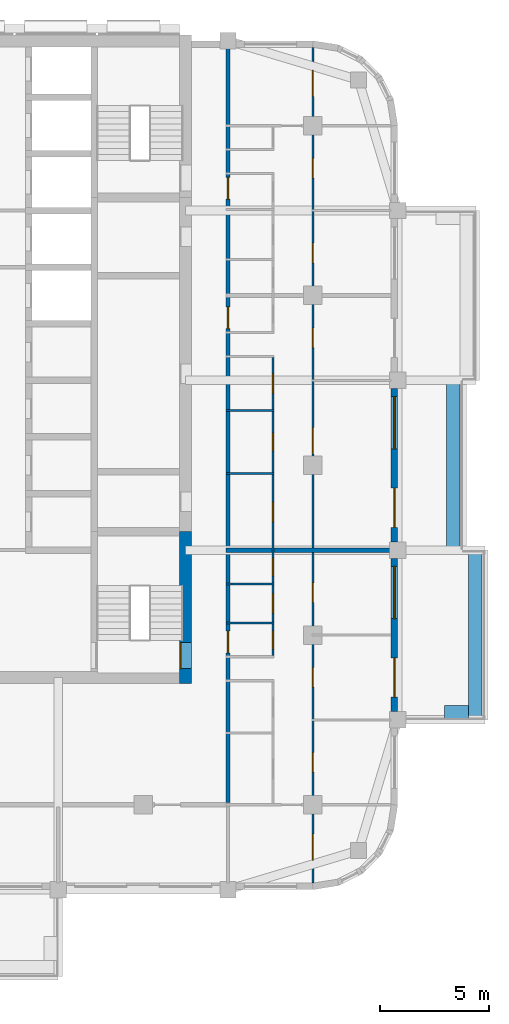
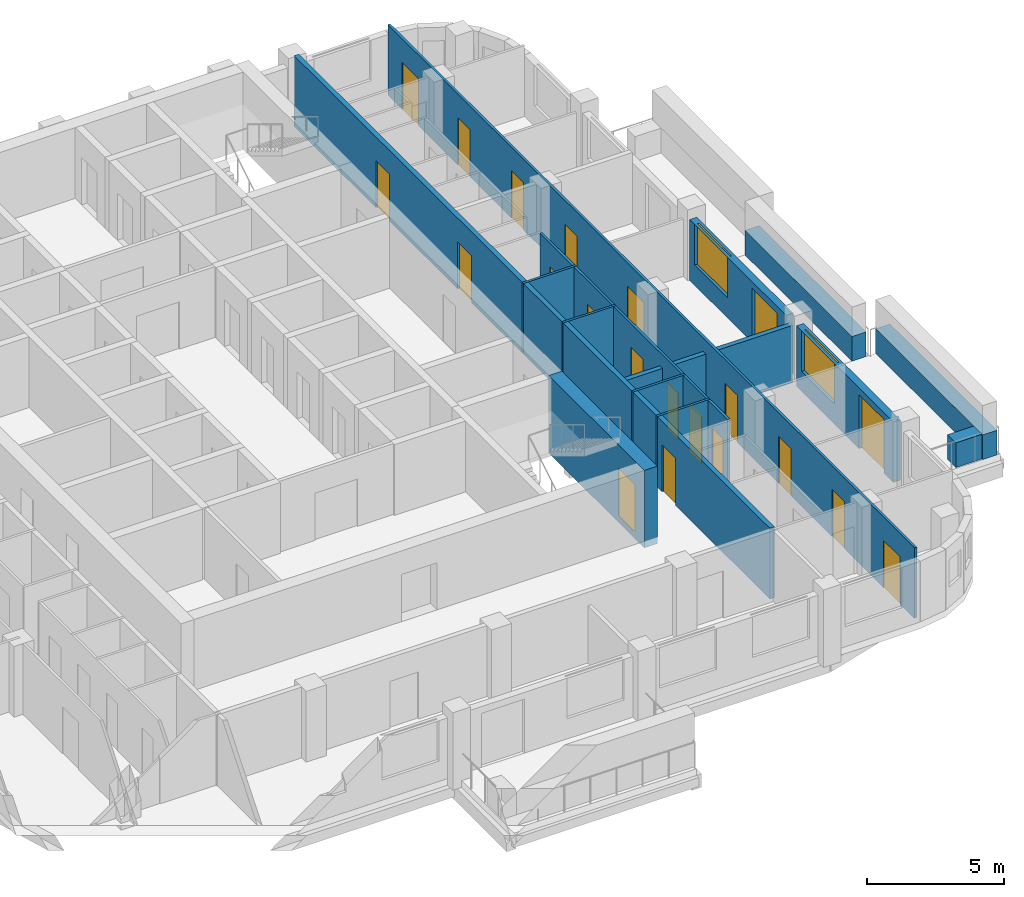
# One storey, part 6 of 13: 21 doors, 14 walls, 2 windows, 23 openings.
"""IFC4 building model written with IfcOpenShell, lengths in metres."""

from ifc_helpers import new_model, si_unit, direction, frame, frame_2d, origin, place, context, subcontext, project, spatial, rectangle, extrude, material, layer, layer_set, type_object, element, fill, save


model = new_model("IFC4")

# Units and contexts
model_context = context("Model", 3, precision=1e-05, world=origin(), true_north=direction((0.0, 1.0)))
body_context = subcontext(model_context, "Body", "Model", "MODEL_VIEW")
ifc_project = project(units=[si_unit("LENGTHUNIT", "METRE"), si_unit("AREAUNIT", "SQUARE_METRE"), si_unit("VOLUMEUNIT", "CUBIC_METRE"), si_unit("PLANEANGLEUNIT", "RADIAN"), si_unit("MASSUNIT", "GRAM", prefix="KILO")], contexts=[model_context])

# Site, building, storey
site_placement = place(None, origin())
site = spatial("IfcSite", under=ifc_project, at=site_placement, CompositionType="ELEMENT")
building_placement = place(site_placement, origin())
building = spatial("IfcBuilding", under=site, at=building_placement, Name="Ludao Terraces", CompositionType="ELEMENT")
storey_placement = place(building_placement, frame((0.0, 0.0, 179.199951171875)))
storey = spatial("IfcBuildingStorey", under=building, at=storey_placement, Name="L48", CompositionType="ELEMENT", Elevation=179.199951171875)

# Wall, opening, door
ifc_material_1 = material(Name="Concrete C60", Category="concrete")
ifc_layer_1 = layer(ifc_material_1, 0.550048828125)
ifc_layer_set_1 = layer_set([ifc_layer_1], Name="Core wall 550 C60")
wall_type_1 = type_object("IfcWallType", Name="Core wall 550 C60", PredefinedType="SOLIDWALL", material=ifc_layer_set_1)
wall_1_placement = place(storey_placement, frame((94.75, 54.97509765625, -0.300048828125), z_axis=(0.0, 0.0, 1.0), x_axis=(0.0, 1.0, 0.0)))
wall_1 = element("IfcWall", 1, at=wall_1_placement, inside=storey, type_object=wall_type_1, Name="Core wall L48 outer-E-S3", PredefinedType="SOLIDWALL", context=body_context, shape_type="SweptSolid", body=[
    extrude(rectangle(XDim=6.974853515625, YDim=0.550048828125, at=frame_2d((3.4873046875, 0.0))), origin(), (0.0, 0.0, 1.0), 3.4501953125),
])
opening_1_placement = place(wall_1_placement, frame((0.675048828125, 0.0, 0.300048828125)))
opening_1 = element("IfcOpeningElement", 2, at=opening_1_placement, cuts=wall_1, Name="Opening R17-017", PredefinedType="OPENING", context=body_context, shape_type="SweptSolid", body=[
    extrude(rectangle(XDim=1.199951171875, YDim=2.10009765625, at=frame_2d((0.60009765625, 1.050048828125))), frame((0.0, 0.28515625, 0.0), z_axis=(0.0, -1.0, 0.0), x_axis=(1.0, 0.0, 0.0)), (0.0, 0.0, 1.0), 0.570068359375),
])
ifc_material_2 = material(Name="Steel Q235", Category="steel")
door_type_1 = type_object("IfcDoorType", Name="INT Stair door 1200", OperationType="DOUBLE_DOOR_SINGLE_SWING", PredefinedType="DOOR", material=ifc_material_2)
door_1_placement = place(opening_1_placement, origin())
door_1 = element("IfcDoor", 3, at=door_1_placement, inside=storey, type_object=door_type_1, Name="DOOR 017", OperationType="DOUBLE_DOOR_SINGLE_SWING", OverallHeight=2.10009765625, OverallWidth=1.199951171875, PredefinedType="DOOR", context=body_context, shape_type="SweptSolid", body=[
    extrude(rectangle(XDim=1.199951171875, YDim=2.10009765625, at=frame_2d((0.60009765625, 1.050048828125))), frame((0.0, 0.26025390625, 0.0), z_axis=(0.0, -1.0, 0.0), x_axis=(1.0, 0.0, 0.0)), (0.0, 0.0, 1.0), 0.050048828125),
])
fill(opening_1, door_1)

# Walls
ifc_material_3 = material(Name="Concrete C40", Category="concrete")
ifc_layer_2 = layer(ifc_material_3, 0.60009765625)
ifc_layer_set_2 = layer_set([ifc_layer_2], Name="ENV Planter trough 600")
wall_type_2 = type_object("IfcWallType", Name="ENV Planter trough 600", PredefinedType="USERDEFINED", material=ifc_layer_set_2)
wall_2_placement = place(storey_placement, frame((108.050048828125, 53.300048828125, 0.0), z_axis=(0.0, 0.0, 1.0), x_axis=(0.0, 1.0, 0.0)))
element("IfcWall", 4, at=wall_2_placement, inside=storey, type_object=wall_type_2, Name="PL-L48-E1", ObjectType="PLANTER", PredefinedType="USERDEFINED", context=body_context, shape_type="SweptSolid", body=[
    extrude(rectangle(XDim=7.800048828125, YDim=0.60009765625, at=frame_2d((3.89990234375, 0.0))), origin(), (0.0, 0.0, 1.0), 1.10009765625),
])
wall_3_placement = place(storey_placement, frame((107.75, 53.64990234375, 0.0), z_axis=(0.0, 0.0, 1.0), x_axis=(-1.0, 0.0, 0.0)))
element("IfcWall", 5, at=wall_3_placement, inside=storey, type_object=wall_type_2, Name="PL-L48-E1-SA", ObjectType="PLANTER", PredefinedType="USERDEFINED", context=body_context, shape_type="SweptSolid", body=[
    extrude(rectangle(XDim=1.10009765625, YDim=0.60009765625, at=frame_2d((0.550048828125, 0.0))), origin(), (0.0, 0.0, 1.0), 1.10009765625),
])
wall_4_placement = place(storey_placement, frame((107.050048828125, 61.10009765625, 0.0), z_axis=(0.0, 0.0, 1.0), x_axis=(0.0, 1.0, 0.0)))
element("IfcWall", 6, at=wall_4_placement, inside=storey, type_object=wall_type_2, Name="PL-L48-E2", ObjectType="PLANTER", PredefinedType="USERDEFINED", context=body_context, shape_type="SweptSolid", body=[
    extrude(rectangle(XDim=7.7998046875, YDim=0.60009765625, at=frame_2d((3.89990234375, 0.0))), origin(), (0.0, 0.0, 1.0), 1.10009765625),
])

# Wall, openings, door, window
ifc_material_4 = material(Name="Granite cladding", Category="masonry")
ifc_layer_3 = layer(ifc_material_4, 0.0400390625, Category="stone")
ifc_material_5 = material(Name="Mineral wool")
ifc_layer_4 = layer(ifc_material_5, 0.06005859375)
ifc_layer_5 = layer(ifc_material_3, 0.199951171875, Category="concrete")
ifc_layer_set_3 = layer_set([ifc_layer_3, ifc_layer_4, ifc_layer_5], Name="ENV Stone-clad wall 300")
wall_type_3 = type_object("IfcWallType", Name="ENV Stone-clad wall 300", PredefinedType="SOLIDWALL", material=ifc_layer_set_3)
wall_5_placement = place(storey_placement, frame((104.35009765625, 53.675048828125, 0.0), z_axis=(0.0, 0.0, 1.0), x_axis=(0.0, 1.0, 0.0)))
wall_5 = element("IfcWall", 7, at=wall_5_placement, inside=storey, type_object=wall_type_3, Name="EW-L48-E2", PredefinedType="SOLIDWALL", context=body_context, shape_type="SweptSolid", body=[
    extrude(rectangle(XDim=7.050048828125, YDim=0.300048828125, at=frame_2d((3.52490234375, 0.0))), origin(), (0.0, 0.0, 1.0), 2.699951171875),
])
opening_2_placement = place(wall_5_placement, frame((0.675048828125, 0.0, 0.0)))
opening_2 = element("IfcOpeningElement", 8, at=opening_2_placement, cuts=wall_5, Name="Opening BD", PredefinedType="OPENING", context=body_context, shape_type="SweptSolid", body=[
    extrude(rectangle(XDim=1.800048828125, YDim=2.39990234375, at=frame_2d((0.89990234375, 1.199951171875))), frame((0.0, 0.16015625, 0.0), z_axis=(0.0, -1.0, 0.0), x_axis=(1.0, 0.0, 0.0)), (0.0, 0.0, 1.0), 0.320068359375),
])
opening_3_placement = place(wall_5_placement, frame((4.27490234375, 0.0, 0.89990234375)))
opening_3 = element("IfcOpeningElement", 9, at=opening_3_placement, cuts=wall_5, Name="Opening W1", PredefinedType="OPENING", context=body_context, shape_type="SweptSolid", body=[
    extrude(rectangle(XDim=2.39990234375, YDim=1.800048828125, at=frame_2d((1.199951171875, 0.89990234375))), frame((0.0, 0.16015625, 0.0), z_axis=(0.0, -1.0, 0.0), x_axis=(1.0, 0.0, 0.0)), (0.0, 0.0, 1.0), 0.320068359375),
])
ifc_material_6 = material(Name="Aluminium glazed door", Category="aluminium")
ifc_layer_6 = layer(ifc_material_6, 0.06005859375)
ifc_layer_set_4 = layer_set([ifc_layer_6], Name="ENV Balcony door BD 1800x2400")
door_type_2 = type_object("IfcDoorType", Name="ENV Balcony door BD 1800x2400", OperationType="DOUBLE_DOOR_SINGLE_SWING", PredefinedType="DOOR", material=ifc_layer_set_4)
door_2_placement = place(opening_2_placement, origin())
door_2 = element("IfcDoor", 10, at=door_2_placement, inside=storey, type_object=door_type_2, Name="BD-L48-E2-1", OperationType="DOUBLE_DOOR_SINGLE_SWING", OverallHeight=2.39990234375, OverallWidth=1.800048828125, PredefinedType="DOOR", context=body_context, shape_type="SweptSolid", body=[
    extrude(rectangle(XDim=1.800048828125, YDim=2.39990234375, at=frame_2d((0.89990234375, 1.199951171875))), frame((0.0, 0.02490234375, 0.0), z_axis=(0.0, -1.0, 0.0), x_axis=(1.0, 0.0, 0.0)), (0.0, 0.0, 1.0), 0.050048828125),
])
fill(opening_2, door_2)
ifc_material_7 = material(Name="Clear glass in aluminium frame", Category="aluminium")
ifc_layer_7 = layer(ifc_material_7, 0.06005859375)
ifc_layer_set_5 = layer_set([ifc_layer_7], Name="ENV Window W1 2400x1800")
window_type = type_object("IfcWindowType", Name="ENV Window W1 2400x1800", PartitioningType="DOUBLE_PANEL_VERTICAL", PredefinedType="WINDOW", material=ifc_layer_set_5)
window_1_placement = place(opening_3_placement, origin())
window_1 = element("IfcWindow", 11, at=window_1_placement, inside=storey, type_object=window_type, Name="W-L48-E2-2", OverallHeight=1.800048828125, OverallWidth=2.39990234375, PartitioningType="DOUBLE_PANEL_VERTICAL", PredefinedType="WINDOW", context=body_context, shape_type="SweptSolid", body=[
    extrude(rectangle(XDim=2.39990234375, YDim=1.800048828125, at=frame_2d((1.199951171875, 0.89990234375))), frame((0.0, 0.030029296875, 0.0), z_axis=(0.0, -1.0, 0.0), x_axis=(1.0, 0.0, 0.0)), (0.0, 0.0, 1.0), 0.06005859375),
])
fill(opening_3, window_1)

wall_6_placement = place(storey_placement, frame((104.35009765625, 61.47509765625, 0.0), z_axis=(0.0, 0.0, 1.0), x_axis=(0.0, 1.0, 0.0)))
wall_6 = element("IfcWall", 12, at=wall_6_placement, inside=storey, type_object=wall_type_3, Name="EW-L48-E3", PredefinedType="SOLIDWALL", context=body_context, shape_type="SweptSolid", body=[
    extrude(rectangle(XDim=7.0498046875, YDim=0.300048828125, at=frame_2d((3.52490234375, 0.0))), origin(), (0.0, 0.0, 1.0), 2.699951171875),
])
opening_4_placement = place(wall_6_placement, frame((0.675048828125, 0.0, 0.0)))
opening_4 = element("IfcOpeningElement", 13, at=opening_4_placement, cuts=wall_6, Name="Opening BD", PredefinedType="OPENING", context=body_context, shape_type="SweptSolid", body=[
    extrude(rectangle(XDim=1.800048828125, YDim=2.39990234375, at=frame_2d((0.89990234375, 1.199951171875))), frame((0.0, 0.16015625, 0.0), z_axis=(0.0, -1.0, 0.0), x_axis=(1.0, 0.0, 0.0)), (0.0, 0.0, 1.0), 0.320068359375),
])
opening_5_placement = place(wall_6_placement, frame((4.27490234375, 0.0, 0.89990234375)))
opening_5 = element("IfcOpeningElement", 14, at=opening_5_placement, cuts=wall_6, Name="Opening W1", PredefinedType="OPENING", context=body_context, shape_type="SweptSolid", body=[
    extrude(rectangle(XDim=2.39990234375, YDim=1.800048828125, at=frame_2d((1.199951171875, 0.89990234375))), frame((0.0, 0.16015625, 0.0), z_axis=(0.0, -1.0, 0.0), x_axis=(1.0, 0.0, 0.0)), (0.0, 0.0, 1.0), 0.320068359375),
])
door_3_placement = place(opening_4_placement, origin())
door_3 = element("IfcDoor", 15, at=door_3_placement, inside=storey, type_object=door_type_2, Name="BD-L48-E3-1", OperationType="DOUBLE_DOOR_SINGLE_SWING", OverallHeight=2.39990234375, OverallWidth=1.800048828125, PredefinedType="DOOR", context=body_context, shape_type="SweptSolid", body=[
    extrude(rectangle(XDim=1.800048828125, YDim=2.39990234375, at=frame_2d((0.89990234375, 1.199951171875))), frame((0.0, 0.02490234375, 0.0), z_axis=(0.0, -1.0, 0.0), x_axis=(1.0, 0.0, 0.0)), (0.0, 0.0, 1.0), 0.050048828125),
])
fill(opening_4, door_3)
window_2_placement = place(opening_5_placement, origin())
window_2 = element("IfcWindow", 16, at=window_2_placement, inside=storey, type_object=window_type, Name="W-L48-E3-2", OverallHeight=1.800048828125, OverallWidth=2.39990234375, PartitioningType="DOUBLE_PANEL_VERTICAL", PredefinedType="WINDOW", context=body_context, shape_type="SweptSolid", body=[
    extrude(rectangle(XDim=2.39990234375, YDim=1.800048828125, at=frame_2d((1.199951171875, 0.89990234375))), frame((0.0, 0.030029296875, 0.0), z_axis=(0.0, -1.0, 0.0), x_axis=(1.0, 0.0, 0.0)), (0.0, 0.0, 1.0), 0.06005859375),
])
fill(opening_5, window_2)

# Wall, openings, doors
ifc_material_8 = material(Name="Autoclaved aerated concrete block B06 A3.5", Category="concrete")
ifc_layer_8 = layer(ifc_material_8, 0.199951171875)
ifc_layer_set_6 = layer_set([ifc_layer_8], Name="INT Entrance wall 200")
wall_type_4 = type_object("IfcWallType", Name="INT Entrance wall 200", PredefinedType="PARTITIONING", material=ifc_layer_set_6)
wall_7_placement = place(storey_placement, frame((96.699951171875, 49.5, 0.0), z_axis=(0.0, 0.0, 1.0), x_axis=(0.0, 1.0, 0.0)))
wall_7 = element("IfcWall", 17, at=wall_7_placement, inside=storey, type_object=wall_type_4, Name="PW-L48-PW056", PredefinedType="PARTITIONING", context=body_context, shape_type="SweptSolid", body=[
    extrude(rectangle(XDim=34.7001953125, YDim=0.199951171875, at=frame_2d((17.35009765625, 0.0))), origin(), (0.0, 0.0, 1.0), 3.150146484375),
])
opening_6_placement = place(wall_7_placement, frame((6.875, 0.0, 0.0)))
opening_6 = element("IfcOpeningElement", 18, at=opening_6_placement, cuts=wall_7, Name="Opening R17-018", PredefinedType="OPENING", context=body_context, shape_type="SweptSolid", body=[
    extrude(rectangle(XDim=1.0, YDim=2.10009765625, at=frame_2d((0.5, 1.050048828125))), frame((0.0, 0.10986328125, 0.0), z_axis=(0.0, -1.0, 0.0), x_axis=(1.0, 0.0, 0.0)), (0.0, 0.0, 1.0), 0.219970703125),
])
opening_7_placement = place(wall_7_placement, frame((21.775146484375, 0.0, 0.0)))
opening_7 = element("IfcOpeningElement", 19, at=opening_7_placement, cuts=wall_7, Name="Opening R17-055", PredefinedType="OPENING", context=body_context, shape_type="SweptSolid", body=[
    extrude(rectangle(XDim=1.0, YDim=2.10009765625, at=frame_2d((0.5, 1.050048828125))), frame((0.0, 0.10986328125, 0.0), z_axis=(0.0, -1.0, 0.0), x_axis=(1.0, 0.0, 0.0)), (0.0, 0.0, 1.0), 0.219970703125),
])
opening_8_placement = place(wall_7_placement, frame((27.72509765625, 0.0, 0.0)))
opening_8 = element("IfcOpeningElement", 20, at=opening_8_placement, cuts=wall_7, Name="Opening R17-072", PredefinedType="OPENING", context=body_context, shape_type="SweptSolid", body=[
    extrude(rectangle(XDim=1.0, YDim=2.10009765625, at=frame_2d((0.5, 1.050048828125))), frame((0.0, 0.10986328125, 0.0), z_axis=(0.0, -1.0, 0.0), x_axis=(1.0, 0.0, 0.0)), (0.0, 0.0, 1.0), 0.219970703125),
])
door_type_3 = type_object("IfcDoorType", Name="INT Flat entrance door 1000", OperationType="SINGLE_SWING_LEFT", PredefinedType="DOOR", material=ifc_material_2)
door_4_placement = place(opening_6_placement, origin())
door_4 = element("IfcDoor", 21, at=door_4_placement, inside=storey, type_object=door_type_3, Name="DOOR 018", OperationType="SINGLE_SWING_LEFT", OverallHeight=2.10009765625, OverallWidth=1.0, PredefinedType="DOOR", context=body_context, shape_type="SweptSolid", body=[
    extrude(rectangle(XDim=1.0, YDim=2.10009765625, at=frame_2d((0.5, 1.050048828125))), frame((0.0, 0.02490234375, 0.0), z_axis=(0.0, -1.0, 0.0), x_axis=(1.0, 0.0, 0.0)), (0.0, 0.0, 1.0), 0.050048828125),
])
fill(opening_6, door_4)
door_5_placement = place(opening_7_placement, origin())
door_5 = element("IfcDoor", 22, at=door_5_placement, inside=storey, type_object=door_type_3, Name="DOOR 055", OperationType="SINGLE_SWING_LEFT", OverallHeight=2.10009765625, OverallWidth=1.0, PredefinedType="DOOR", context=body_context, shape_type="SweptSolid", body=[
    extrude(rectangle(XDim=1.0, YDim=2.10009765625, at=frame_2d((0.5, 1.050048828125))), frame((0.0, 0.02490234375, 0.0), z_axis=(0.0, -1.0, 0.0), x_axis=(1.0, 0.0, 0.0)), (0.0, 0.0, 1.0), 0.050048828125),
])
fill(opening_7, door_5)
door_6_placement = place(opening_8_placement, origin())
door_6 = element("IfcDoor", 23, at=door_6_placement, inside=storey, type_object=door_type_3, Name="DOOR 072", OperationType="SINGLE_SWING_RIGHT", OverallHeight=2.10009765625, OverallWidth=1.0, PredefinedType="DOOR", context=body_context, shape_type="SweptSolid", body=[
    extrude(rectangle(XDim=1.0, YDim=2.10009765625, at=frame_2d((0.5, 1.050048828125))), frame((0.0, 0.02490234375, 0.0), z_axis=(0.0, -1.0, 0.0), x_axis=(1.0, 0.0, 0.0)), (0.0, 0.0, 1.0), 0.050048828125),
])
fill(opening_8, door_6)

# Walls
ifc_material_9 = material(Name="Gypsum plasterboard", Category="gypsum")
ifc_layer_9 = layer(ifc_material_9, 0.012451171875, Category="gypsum")
ifc_layer_10 = layer(ifc_material_5, 0.06005859375, Name="insulation")
ifc_layer_11 = layer(ifc_material_2, 0.014892578125, Name="stud")
ifc_layer_12 = layer(ifc_material_9, 0.012451171875, Category="gypsum")
ifc_layer_set_7 = layer_set([ifc_layer_9, ifc_layer_10, ifc_layer_11, ifc_layer_12], Name="INT Partition 100")
wall_type_5 = type_object("IfcWallType", Name="INT Partition 100", PredefinedType="PARTITIONING", material=ifc_layer_set_7)
for number, where, z_axis, x_axis, name in (
    (24, (96.60009765625, 57.75, 0.0), (0.0, 0.0, 1.0), (1.0, 0.0, 0.0), "PW-L48-PW012"),
    (25, (96.60009765625, 59.550048828125, 0.0), (0.0, 0.0, 1.0), (1.0, 0.0, 0.0), "PW-L48-PW014"),
    (26, (96.60009765625, 64.6201171875, 0.0), (0.0, 0.0, 1.0), (1.0, 0.0, 0.0), "PW-L48-PW020"),
    (27, (96.60009765625, 67.52001953125, 0.0), (0.0, 0.0, 1.0), (1.0, 0.0, 0.0), "PW-L48-PW023"),
):
    element("IfcWall", number, at=place(storey_placement, frame(where, z_axis=z_axis, x_axis=x_axis)), inside=storey, type_object=wall_type_5, Name=name, PredefinedType="PARTITIONING", context=body_context, shape_type="SweptSolid", body=[
        extrude(rectangle(XDim=2.219970703125, YDim=0.10009765625, at=frame_2d((1.10986328125, 0.0))), origin(), (0.0, 0.0, 1.0), 3.150146484375),
    ])

# Wall, openings, doors
wall_8_placement = place(storey_placement, frame((98.77001953125, 56.25, 0.0), z_axis=(0.0, 0.0, 1.0), x_axis=(0.0, 1.0, 0.0)))
wall_8 = element("IfcWall", 28, at=wall_8_placement, inside=storey, type_object=wall_type_5, Name="PW-L48-PW058", PredefinedType="PARTITIONING", context=body_context, shape_type="SweptSolid", body=[
    extrude(rectangle(XDim=13.7001953125, YDim=0.10009765625, at=frame_2d((6.85009765625, 0.0))), origin(), (0.0, 0.0, 1.0), 3.150146484375),
])
opening_9_placement = place(wall_8_placement, frame((0.3251953125, 0.0, 0.0)))
opening_9 = element("IfcOpeningElement", 29, at=opening_9_placement, cuts=wall_8, Name="Opening R17-019", PredefinedType="OPENING", context=body_context, shape_type="SweptSolid", body=[
    extrude(rectangle(XDim=0.800048828125, YDim=2.10009765625, at=frame_2d((0.39990234375, 1.050048828125))), frame((0.0, 0.06005859375, 0.0), z_axis=(0.0, -1.0, 0.0), x_axis=(1.0, 0.0, 0.0)), (0.0, 0.0, 1.0), 0.1201171875),
])
opening_10_placement = place(wall_8_placement, frame((1.9501953125, 0.0, 0.0)))
opening_10 = element("IfcOpeningElement", 30, at=opening_10_placement, cuts=wall_8, Name="Opening R17-022", PredefinedType="OPENING", context=body_context, shape_type="SweptSolid", body=[
    extrude(rectangle(XDim=0.89990234375, YDim=2.10009765625, at=frame_2d((0.449951171875, 1.050048828125))), frame((0.0, 0.06005859375, 0.0), z_axis=(0.0, -1.0, 0.0), x_axis=(1.0, 0.0, 0.0)), (0.0, 0.0, 1.0), 0.1201171875),
])
opening_11_placement = place(wall_8_placement, frame((3.675048828125, 0.0, 0.0)))
opening_11 = element("IfcOpeningElement", 31, at=opening_11_placement, cuts=wall_8, Name="Opening R17-025", PredefinedType="OPENING", context=body_context, shape_type="SweptSolid", body=[
    extrude(rectangle(XDim=0.800048828125, YDim=2.10009765625, at=frame_2d((0.39990234375, 1.050048828125))), frame((0.0, 0.06005859375, 0.0), z_axis=(0.0, -1.0, 0.0), x_axis=(1.0, 0.0, 0.0)), (0.0, 0.0, 1.0), 0.1201171875),
])
opening_12_placement = place(wall_8_placement, frame((6.16015625, 0.0, 0.0)))
opening_12 = element("IfcOpeningElement", 32, at=opening_12_placement, cuts=wall_8, Name="Opening R17-031", PredefinedType="OPENING", context=body_context, shape_type="SweptSolid", body=[
    extrude(rectangle(XDim=0.89990234375, YDim=2.10009765625, at=frame_2d((0.449951171875, 1.050048828125))), frame((0.0, 0.06005859375, 0.0), z_axis=(0.0, -1.0, 0.0), x_axis=(1.0, 0.0, 0.0)), (0.0, 0.0, 1.0), 0.1201171875),
])
opening_13_placement = place(wall_8_placement, frame((9.420166015625, 0.0, 0.0)))
opening_13 = element("IfcOpeningElement", 33, at=opening_13_placement, cuts=wall_8, Name="Opening R17-039", PredefinedType="OPENING", context=body_context, shape_type="SweptSolid", body=[
    extrude(rectangle(XDim=0.800048828125, YDim=2.10009765625, at=frame_2d((0.39990234375, 1.050048828125))), frame((0.0, 0.06005859375, 0.0), z_axis=(0.0, -1.0, 0.0), x_axis=(1.0, 0.0, 0.0)), (0.0, 0.0, 1.0), 0.1201171875),
])
opening_14_placement = place(wall_8_placement, frame((12.06005859375, 0.0, 0.0)))
opening_14 = element("IfcOpeningElement", 34, at=opening_14_placement, cuts=wall_8, Name="Opening R17-045", PredefinedType="OPENING", context=body_context, shape_type="SweptSolid", body=[
    extrude(rectangle(XDim=0.89990234375, YDim=2.10009765625, at=frame_2d((0.449951171875, 1.050048828125))), frame((0.0, 0.06005859375, 0.0), z_axis=(0.0, -1.0, 0.0), x_axis=(1.0, 0.0, 0.0)), (0.0, 0.0, 1.0), 0.1201171875),
])
ifc_material_10 = material(Name="Timber door leaf", Category="wood")
door_type_4 = type_object("IfcDoorType", Name="INT Bathroom door 900", OperationType="SINGLE_SWING_LEFT", PredefinedType="DOOR", material=ifc_material_10)
door_7_placement = place(opening_10_placement, origin())
door_7 = element("IfcDoor", 35, at=door_7_placement, inside=storey, type_object=door_type_4, Name="DOOR 022", OperationType="SINGLE_SWING_RIGHT", OverallHeight=2.10009765625, OverallWidth=0.89990234375, PredefinedType="DOOR", context=body_context, shape_type="SweptSolid", body=[
    extrude(rectangle(XDim=0.89990234375, YDim=2.10009765625, at=frame_2d((0.449951171875, 1.050048828125))), frame((0.0, 0.02490234375, 0.0), z_axis=(0.0, -1.0, 0.0), x_axis=(1.0, 0.0, 0.0)), (0.0, 0.0, 1.0), 0.050048828125),
])
fill(opening_10, door_7)
door_8_placement = place(opening_14_placement, origin())
door_8 = element("IfcDoor", 36, at=door_8_placement, inside=storey, type_object=door_type_4, Name="DOOR 045", OperationType="SINGLE_SWING_LEFT", OverallHeight=2.10009765625, OverallWidth=0.89990234375, PredefinedType="DOOR", context=body_context, shape_type="SweptSolid", body=[
    extrude(rectangle(XDim=0.89990234375, YDim=2.10009765625, at=frame_2d((0.449951171875, 1.050048828125))), frame((0.0, 0.02490234375, 0.0), z_axis=(0.0, -1.0, 0.0), x_axis=(1.0, 0.0, 0.0)), (0.0, 0.0, 1.0), 0.050048828125),
])
fill(opening_14, door_8)
door_type_5 = type_object("IfcDoorType", Name="INT Room door 900", OperationType="SINGLE_SWING_LEFT", PredefinedType="DOOR", material=ifc_material_10)
door_9_placement = place(opening_12_placement, origin())
door_9 = element("IfcDoor", 37, at=door_9_placement, inside=storey, type_object=door_type_5, Name="DOOR 031", OperationType="SINGLE_SWING_LEFT", OverallHeight=2.10009765625, OverallWidth=0.89990234375, PredefinedType="DOOR", context=body_context, shape_type="SweptSolid", body=[
    extrude(rectangle(XDim=0.89990234375, YDim=2.10009765625, at=frame_2d((0.449951171875, 1.050048828125))), frame((0.0, 0.02490234375, 0.0), z_axis=(0.0, -1.0, 0.0), x_axis=(1.0, 0.0, 0.0)), (0.0, 0.0, 1.0), 0.050048828125),
])
fill(opening_12, door_9)
door_type_6 = type_object("IfcDoorType", Name="INT Store door 800", OperationType="SINGLE_SWING_LEFT", PredefinedType="DOOR", material=ifc_material_10)
door_10_placement = place(opening_9_placement, origin())
door_10 = element("IfcDoor", 38, at=door_10_placement, inside=storey, type_object=door_type_6, Name="DOOR 019", OperationType="SINGLE_SWING_LEFT", OverallHeight=2.10009765625, OverallWidth=0.800048828125, PredefinedType="DOOR", context=body_context, shape_type="SweptSolid", body=[
    extrude(rectangle(XDim=0.800048828125, YDim=2.10009765625, at=frame_2d((0.39990234375, 1.050048828125))), frame((0.0, 0.02490234375, 0.0), z_axis=(0.0, -1.0, 0.0), x_axis=(1.0, 0.0, 0.0)), (0.0, 0.0, 1.0), 0.050048828125),
])
fill(opening_9, door_10)
door_11_placement = place(opening_11_placement, origin())
door_11 = element("IfcDoor", 39, at=door_11_placement, inside=storey, type_object=door_type_6, Name="DOOR 025", OperationType="SINGLE_SWING_RIGHT", OverallHeight=2.10009765625, OverallWidth=0.800048828125, PredefinedType="DOOR", context=body_context, shape_type="SweptSolid", body=[
    extrude(rectangle(XDim=0.800048828125, YDim=2.10009765625, at=frame_2d((0.39990234375, 1.050048828125))), frame((0.0, 0.02490234375, 0.0), z_axis=(0.0, -1.0, 0.0), x_axis=(1.0, 0.0, 0.0)), (0.0, 0.0, 1.0), 0.050048828125),
])
fill(opening_11, door_11)
door_12_placement = place(opening_13_placement, origin())
door_12 = element("IfcDoor", 40, at=door_12_placement, inside=storey, type_object=door_type_6, Name="DOOR 039", OperationType="SINGLE_SWING_LEFT", OverallHeight=2.10009765625, OverallWidth=0.800048828125, PredefinedType="DOOR", context=body_context, shape_type="SweptSolid", body=[
    extrude(rectangle(XDim=0.800048828125, YDim=2.10009765625, at=frame_2d((0.39990234375, 1.050048828125))), frame((0.0, 0.02490234375, 0.0), z_axis=(0.0, -1.0, 0.0), x_axis=(1.0, 0.0, 0.0)), (0.0, 0.0, 1.0), 0.050048828125),
])
fill(opening_13, door_12)

wall_9_placement = place(storey_placement, frame((100.60009765625, 45.800048828125, 0.0), z_axis=(0.0, 0.0, 1.0), x_axis=(0.0, 1.0, 0.0)))
wall_9 = element("IfcWall", 41, at=wall_9_placement, inside=storey, type_object=wall_type_5, Name="PW-L48-PW061", PredefinedType="PARTITIONING", context=body_context, shape_type="SweptSolid", body=[
    extrude(rectangle(XDim=38.400146484375, YDim=0.10009765625, at=frame_2d((19.2001953125, 0.0))), origin(), (0.0, 0.0, 1.0), 3.150146484375),
])
opening_15_placement = place(wall_9_placement, frame((1.050048828125, 0.0, 0.0)))
opening_15 = element("IfcOpeningElement", 42, at=opening_15_placement, cuts=wall_9, Name="Opening R17-002", PredefinedType="OPENING", context=body_context, shape_type="SweptSolid", body=[
    extrude(rectangle(XDim=1.199951171875, YDim=2.10009765625, at=frame_2d((0.60009765625, 1.050048828125))), frame((0.0, 0.06005859375, 0.0), z_axis=(0.0, -1.0, 0.0), x_axis=(1.0, 0.0, 0.0)), (0.0, 0.0, 1.0), 0.1201171875),
])
opening_16_placement = place(wall_9_placement, frame((5.10009765625, 0.0, 0.0)))
opening_16 = element("IfcOpeningElement", 43, at=opening_16_placement, cuts=wall_9, Name="Opening R17-009", PredefinedType="OPENING", context=body_context, shape_type="SweptSolid", body=[
    extrude(rectangle(XDim=0.89990234375, YDim=2.10009765625, at=frame_2d((0.449951171875, 1.050048828125))), frame((0.0, 0.06005859375, 0.0), z_axis=(0.0, -1.0, 0.0), x_axis=(1.0, 0.0, 0.0)), (0.0, 0.0, 1.0), 0.1201171875),
])
opening_17_placement = place(wall_9_placement, frame((9.0, 0.0, 0.0)))
opening_17 = element("IfcOpeningElement", 44, at=opening_17_placement, cuts=wall_9, Name="Opening R17-014", PredefinedType="OPENING", context=body_context, shape_type="SweptSolid", body=[
    extrude(rectangle(XDim=0.89990234375, YDim=2.10009765625, at=frame_2d((0.449951171875, 1.050048828125))), frame((0.0, 0.06005859375, 0.0), z_axis=(0.0, -1.0, 0.0), x_axis=(1.0, 0.0, 0.0)), (0.0, 0.0, 1.0), 0.1201171875),
])
opening_18_placement = place(wall_9_placement, frame((12.89990234375, 0.0, 0.0)))
opening_18 = element("IfcOpeningElement", 45, at=opening_18_placement, cuts=wall_9, Name="Opening R17-024", PredefinedType="OPENING", context=body_context, shape_type="SweptSolid", body=[
    extrude(rectangle(XDim=0.89990234375, YDim=2.10009765625, at=frame_2d((0.449951171875, 1.050048828125))), frame((0.0, 0.06005859375, 0.0), z_axis=(0.0, -1.0, 0.0), x_axis=(1.0, 0.0, 0.0)), (0.0, 0.0, 1.0), 0.1201171875),
])
opening_19_placement = place(wall_9_placement, frame((19.72509765625, 0.0, 0.0)))
opening_19 = element("IfcOpeningElement", 46, at=opening_19_placement, cuts=wall_9, Name="Opening R17-040", PredefinedType="OPENING", context=body_context, shape_type="SweptSolid", body=[
    extrude(rectangle(XDim=1.199951171875, YDim=2.10009765625, at=frame_2d((0.60009765625, 1.050048828125))), frame((0.0, 0.06005859375, 0.0), z_axis=(0.0, -1.0, 0.0), x_axis=(1.0, 0.0, 0.0)), (0.0, 0.0, 1.0), 0.1201171875),
])
opening_20_placement = place(wall_9_placement, frame((24.60009765625, 0.0, 0.0)))
opening_20 = element("IfcOpeningElement", 47, at=opening_20_placement, cuts=wall_9, Name="Opening R17-053", PredefinedType="OPENING", context=body_context, shape_type="SweptSolid", body=[
    extrude(rectangle(XDim=0.89990234375, YDim=2.10009765625, at=frame_2d((0.449951171875, 1.050048828125))), frame((0.0, 0.06005859375, 0.0), z_axis=(0.0, -1.0, 0.0), x_axis=(1.0, 0.0, 0.0)), (0.0, 0.0, 1.0), 0.1201171875),
])
opening_21_placement = place(wall_9_placement, frame((28.5, 0.0, 0.0)))
opening_21 = element("IfcOpeningElement", 48, at=opening_21_placement, cuts=wall_9, Name="Opening R17-063", PredefinedType="OPENING", context=body_context, shape_type="SweptSolid", body=[
    extrude(rectangle(XDim=0.89990234375, YDim=2.10009765625, at=frame_2d((0.449951171875, 1.050048828125))), frame((0.0, 0.06005859375, 0.0), z_axis=(0.0, -1.0, 0.0), x_axis=(1.0, 0.0, 0.0)), (0.0, 0.0, 1.0), 0.1201171875),
])
opening_22_placement = place(wall_9_placement, frame((32.39990234375, 0.0, 0.0)))
opening_22 = element("IfcOpeningElement", 49, at=opening_22_placement, cuts=wall_9, Name="Opening R17-078", PredefinedType="OPENING", context=body_context, shape_type="SweptSolid", body=[
    extrude(rectangle(XDim=0.89990234375, YDim=2.10009765625, at=frame_2d((0.449951171875, 1.050048828125))), frame((0.0, 0.06005859375, 0.0), z_axis=(0.0, -1.0, 0.0), x_axis=(1.0, 0.0, 0.0)), (0.0, 0.0, 1.0), 0.1201171875),
])
opening_23_placement = place(wall_9_placement, frame((36.14990234375, 0.0, 0.0)))
opening_23 = element("IfcOpeningElement", 50, at=opening_23_placement, cuts=wall_9, Name="Opening R17-087", PredefinedType="OPENING", context=body_context, shape_type="SweptSolid", body=[
    extrude(rectangle(XDim=1.199951171875, YDim=2.10009765625, at=frame_2d((0.60009765625, 1.050048828125))), frame((0.0, 0.06005859375, 0.0), z_axis=(0.0, -1.0, 0.0), x_axis=(1.0, 0.0, 0.0)), (0.0, 0.0, 1.0), 0.1201171875),
])
door_type_7 = type_object("IfcDoorType", Name="INT Double door 1200", OperationType="DOUBLE_DOOR_SINGLE_SWING", PredefinedType="DOOR", material=ifc_material_10)
door_13_placement = place(opening_15_placement, origin())
door_13 = element("IfcDoor", 51, at=door_13_placement, inside=storey, type_object=door_type_7, Name="DOOR 002", OperationType="DOUBLE_DOOR_SINGLE_SWING", OverallHeight=2.10009765625, OverallWidth=1.199951171875, PredefinedType="DOOR", context=body_context, shape_type="SweptSolid", body=[
    extrude(rectangle(XDim=1.199951171875, YDim=2.10009765625, at=frame_2d((0.60009765625, 1.050048828125))), frame((0.0, 0.02490234375, 0.0), z_axis=(0.0, -1.0, 0.0), x_axis=(1.0, 0.0, 0.0)), (0.0, 0.0, 1.0), 0.050048828125),
])
fill(opening_15, door_13)
door_14_placement = place(opening_19_placement, origin())
door_14 = element("IfcDoor", 52, at=door_14_placement, inside=storey, type_object=door_type_7, Name="DOOR 040", OperationType="DOUBLE_DOOR_SINGLE_SWING", OverallHeight=2.10009765625, OverallWidth=1.199951171875, PredefinedType="DOOR", context=body_context, shape_type="SweptSolid", body=[
    extrude(rectangle(XDim=1.199951171875, YDim=2.10009765625, at=frame_2d((0.60009765625, 1.050048828125))), frame((0.0, 0.02490234375, 0.0), z_axis=(0.0, -1.0, 0.0), x_axis=(1.0, 0.0, 0.0)), (0.0, 0.0, 1.0), 0.050048828125),
])
fill(opening_19, door_14)
door_15_placement = place(opening_23_placement, origin())
door_15 = element("IfcDoor", 53, at=door_15_placement, inside=storey, type_object=door_type_7, Name="DOOR 087", OperationType="DOUBLE_DOOR_SINGLE_SWING", OverallHeight=2.10009765625, OverallWidth=1.199951171875, PredefinedType="DOOR", context=body_context, shape_type="SweptSolid", body=[
    extrude(rectangle(XDim=1.199951171875, YDim=2.10009765625, at=frame_2d((0.60009765625, 1.050048828125))), frame((0.0, 0.02490234375, 0.0), z_axis=(0.0, -1.0, 0.0), x_axis=(1.0, 0.0, 0.0)), (0.0, 0.0, 1.0), 0.050048828125),
])
fill(opening_23, door_15)
door_16_placement = place(opening_16_placement, origin())
door_16 = element("IfcDoor", 54, at=door_16_placement, inside=storey, type_object=door_type_5, Name="DOOR 009", OperationType="SINGLE_SWING_LEFT", OverallHeight=2.10009765625, OverallWidth=0.89990234375, PredefinedType="DOOR", context=body_context, shape_type="SweptSolid", body=[
    extrude(rectangle(XDim=0.89990234375, YDim=2.10009765625, at=frame_2d((0.449951171875, 1.050048828125))), frame((0.0, 0.02490234375, 0.0), z_axis=(0.0, -1.0, 0.0), x_axis=(1.0, 0.0, 0.0)), (0.0, 0.0, 1.0), 0.050048828125),
])
fill(opening_16, door_16)
door_17_placement = place(opening_17_placement, origin())
door_17 = element("IfcDoor", 55, at=door_17_placement, inside=storey, type_object=door_type_5, Name="DOOR 014", OperationType="SINGLE_SWING_LEFT", OverallHeight=2.10009765625, OverallWidth=0.89990234375, PredefinedType="DOOR", context=body_context, shape_type="SweptSolid", body=[
    extrude(rectangle(XDim=0.89990234375, YDim=2.10009765625, at=frame_2d((0.449951171875, 1.050048828125))), frame((0.0, 0.02490234375, 0.0), z_axis=(0.0, -1.0, 0.0), x_axis=(1.0, 0.0, 0.0)), (0.0, 0.0, 1.0), 0.050048828125),
])
fill(opening_17, door_17)
door_18_placement = place(opening_18_placement, origin())
door_18 = element("IfcDoor", 56, at=door_18_placement, inside=storey, type_object=door_type_5, Name="DOOR 024", OperationType="SINGLE_SWING_RIGHT", OverallHeight=2.10009765625, OverallWidth=0.89990234375, PredefinedType="DOOR", context=body_context, shape_type="SweptSolid", body=[
    extrude(rectangle(XDim=0.89990234375, YDim=2.10009765625, at=frame_2d((0.449951171875, 1.050048828125))), frame((0.0, 0.02490234375, 0.0), z_axis=(0.0, -1.0, 0.0), x_axis=(1.0, 0.0, 0.0)), (0.0, 0.0, 1.0), 0.050048828125),
])
fill(opening_18, door_18)
door_19_placement = place(opening_20_placement, origin())
door_19 = element("IfcDoor", 57, at=door_19_placement, inside=storey, type_object=door_type_5, Name="DOOR 053", OperationType="SINGLE_SWING_LEFT", OverallHeight=2.10009765625, OverallWidth=0.89990234375, PredefinedType="DOOR", context=body_context, shape_type="SweptSolid", body=[
    extrude(rectangle(XDim=0.89990234375, YDim=2.10009765625, at=frame_2d((0.449951171875, 1.050048828125))), frame((0.0, 0.02490234375, 0.0), z_axis=(0.0, -1.0, 0.0), x_axis=(1.0, 0.0, 0.0)), (0.0, 0.0, 1.0), 0.050048828125),
])
fill(opening_20, door_19)
door_20_placement = place(opening_21_placement, origin())
door_20 = element("IfcDoor", 58, at=door_20_placement, inside=storey, type_object=door_type_5, Name="DOOR 063", OperationType="SINGLE_SWING_LEFT", OverallHeight=2.10009765625, OverallWidth=0.89990234375, PredefinedType="DOOR", context=body_context, shape_type="SweptSolid", body=[
    extrude(rectangle(XDim=0.89990234375, YDim=2.10009765625, at=frame_2d((0.449951171875, 1.050048828125))), frame((0.0, 0.02490234375, 0.0), z_axis=(0.0, -1.0, 0.0), x_axis=(1.0, 0.0, 0.0)), (0.0, 0.0, 1.0), 0.050048828125),
])
fill(opening_21, door_20)
door_21_placement = place(opening_22_placement, origin())
door_21 = element("IfcDoor", 59, at=door_21_placement, inside=storey, type_object=door_type_5, Name="DOOR 078", OperationType="SINGLE_SWING_LEFT", OverallHeight=2.10009765625, OverallWidth=0.89990234375, PredefinedType="DOOR", context=body_context, shape_type="SweptSolid", body=[
    extrude(rectangle(XDim=0.89990234375, YDim=2.10009765625, at=frame_2d((0.449951171875, 1.050048828125))), frame((0.0, 0.02490234375, 0.0), z_axis=(0.0, -1.0, 0.0), x_axis=(1.0, 0.0, 0.0)), (0.0, 0.0, 1.0), 0.050048828125),
])
fill(opening_22, door_21)

# Wall
ifc_layer_13 = layer(ifc_material_8, 0.199951171875)
ifc_layer_set_8 = layer_set([ifc_layer_13], Name="INT Party wall 200")
wall_type_6 = type_object("IfcWallType", Name="INT Party wall 200", PredefinedType="PARTITIONING", material=ifc_layer_set_8)
wall_10_placement = place(storey_placement, frame((96.60009765625, 61.10009765625, 0.0), z_axis=(0.0, 0.0, 1.0), x_axis=(1.0, 0.0, 0.0)))
element("IfcWall", 60, at=wall_10_placement, inside=storey, type_object=wall_type_6, Name="PW-L48-PW018", PredefinedType="PARTITIONING", context=body_context, shape_type="SweptSolid", body=[
    extrude(rectangle(XDim=7.60009765625, YDim=0.199951171875, at=frame_2d((3.800048828125, 0.0))), origin(), (0.0, 0.0, 1.0), 2.550048828125),
])

save(model, "model.ifc")
